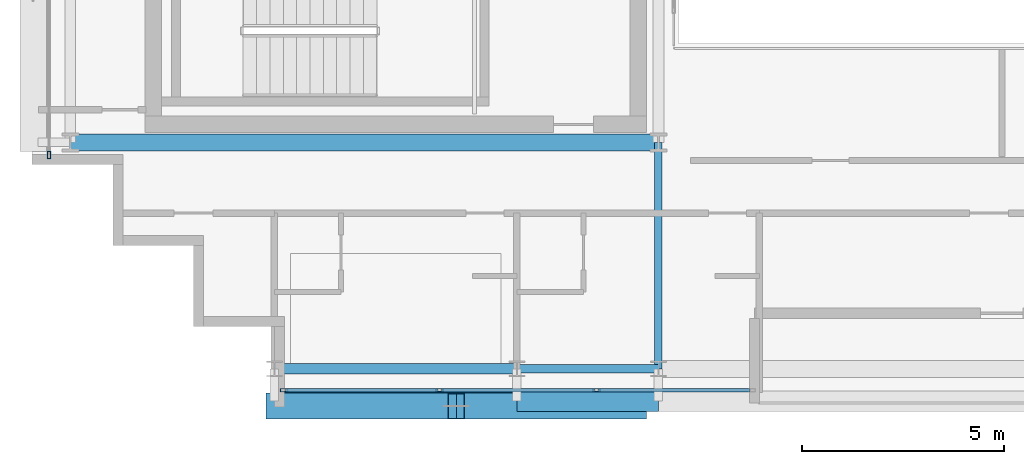
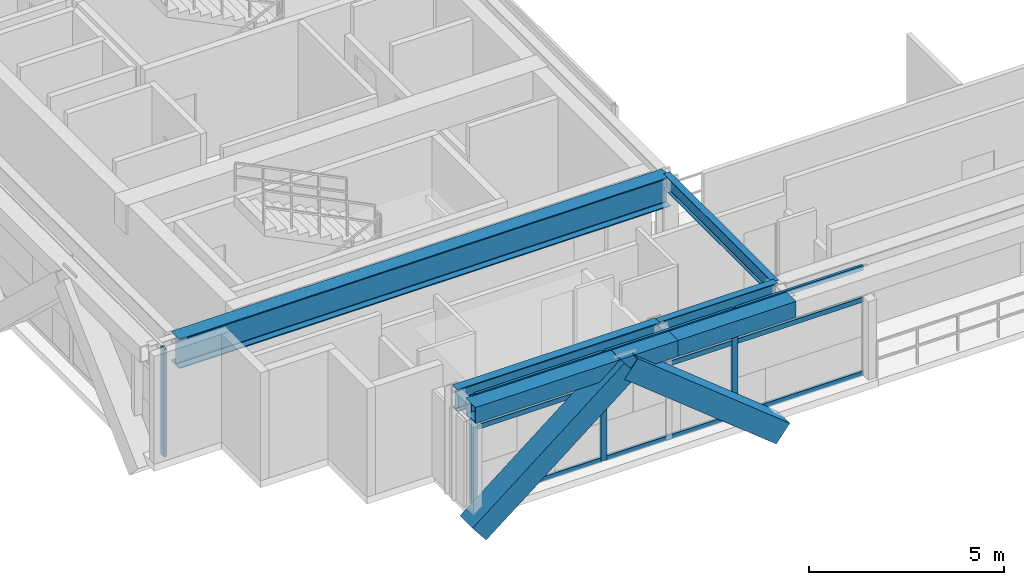
# One storey, part 2 of 29: 15 members, 6 beams, 2 elements without a shape of their own.
"""IFC4 building model written with IfcOpenShell, lengths in metres."""

from ifc_helpers import new_model, si_unit, direction, frame, origin, origin_2d, place, context, subcontext, project, spatial, hollow_rectangle, i_section, extrude, source, transform, mapped, material, layer, layer_set, material_profile, profile_set, type_object, element, aggregate, save


model = new_model("IFC4")

# Units and contexts
model_context = context("Model", 3, precision=1e-05, world=origin(), true_north=direction((0.0, 1.0)))
body_context = subcontext(model_context, "Body", "Model", "MODEL_VIEW")
ifc_project = project(units=[si_unit("LENGTHUNIT", "METRE"), si_unit("AREAUNIT", "SQUARE_METRE"), si_unit("VOLUMEUNIT", "CUBIC_METRE"), si_unit("PLANEANGLEUNIT", "RADIAN"), si_unit("MASSUNIT", "GRAM", prefix="KILO")], contexts=[model_context])

# Site, building, storey
site_placement = place(None, origin())
site = spatial("IfcSite", under=ifc_project, at=site_placement, CompositionType="ELEMENT")
building_placement = place(site_placement, origin())
building = spatial("IfcBuilding", under=site, at=building_placement, Name="Ocotamira Hotel", CompositionType="ELEMENT")
storey_placement = place(building_placement, frame((0.0, 0.0, 236.39990234375)))
storey = spatial("IfcBuildingStorey", under=building, at=storey_placement, Name="L59", CompositionType="ELEMENT", Elevation=236.39990234375)

# Beams
ifc_material_1 = material(Name="Steel ASTM A992 Grade 50", Category="steel")
ifc_material_profile_1 = material_profile(ifc_material_1, i_section(OverallWidth=0.41796875, OverallDepth=0.927001953125, WebThickness=0.019287109375, FlangeThickness=0.031982421875, FilletRadius=0.02392578125, at=origin_2d()), Name="W36X231")
ifc_profile_set_1 = profile_set([ifc_material_profile_1], Name="Steel ASTM A992 Grade 50")
beam_type_1 = type_object("IfcBeamType", Name="BM-GIRD-W36X231", PredefinedType="BEAM", material=ifc_profile_set_1)
shared_shape_1 = source(origin(), body_context, "Body", "SweptSolid", [
    extrude(i_section(OverallWidth=0.41796875, OverallDepth=0.927001953125, WebThickness=0.019287109375, FlangeThickness=0.031982421875, FilletRadius=0.02392578125, at=origin_2d()), origin(), (0.0, 0.0, 1.0), 14.550048828125),
])
beam_1_placement = place(storey_placement, frame((8.949951171875, 14.550048828125, 2.91650390625), z_axis=(1.0, 0.0, 0.0), x_axis=(0.0, 1.0, 0.0)))
element("IfcBeam", 1, at=beam_1_placement, inside=storey, type_object=beam_type_1, Name="L59 Girder Y14.55 X8.95-23.5", PredefinedType="BEAM", context=body_context, shape_type="MappedRepresentation", body=[
    mapped(shared_shape_1, transform((0.0, 0.0, 0.0), scale=1.0)),
])
ifc_material_profile_2 = material_profile(ifc_material_1, i_section(OverallWidth=0.256103515625, OverallDepth=0.693115234375, WebThickness=0.014404296875, FlangeThickness=0.023681640625, FilletRadius=0.01611328125, at=origin_2d()), Name="W27X114")
ifc_profile_set_2 = profile_set([ifc_material_profile_2], Name="Steel ASTM A992 Grade 50")
beam_type_2 = type_object("IfcBeamType", Name="BM-PRIM-W27X114", PredefinedType="BEAM", material=ifc_profile_set_2)
shared_shape_2 = source(origin(), body_context, "Body", "SweptSolid", [
    extrude(i_section(OverallWidth=0.256103515625, OverallDepth=0.693115234375, WebThickness=0.014404296875, FlangeThickness=0.023681640625, FilletRadius=0.01611328125, at=origin_2d()), origin(), (0.0, 0.0, 1.0), 6.0),
])
beam_2_placement = place(storey_placement, frame((14.0, 8.949951171875, 3.03369140625), z_axis=(1.0, 0.0, 0.0), x_axis=(0.0, 1.0, 0.0)))
element("IfcBeam", 2, at=beam_2_placement, inside=storey, type_object=beam_type_2, Name="L59 Girder Y8.95 X14-20", PredefinedType="BEAM", context=body_context, shape_type="MappedRepresentation", body=[
    mapped(shared_shape_2, transform((0.0, 0.0, 0.0), scale=1.0)),
])
ifc_material_profile_3 = material_profile(ifc_material_1, i_section(OverallWidth=0.2099609375, OverallDepth=0.537109375, WebThickness=0.010986328125, FlangeThickness=0.017333984375, FilletRadius=0.012939453125, at=origin_2d()), Name="W21X68")
ifc_profile_set_3 = profile_set([ifc_material_profile_3], Name="Steel ASTM A992 Grade 50")
beam_type_3 = type_object("IfcBeamType", Name="BM-SEC-W21X68", PredefinedType="JOIST", material=ifc_profile_set_3)
shared_shape_3 = source(origin(), body_context, "Body", "SweptSolid", [
    extrude(i_section(OverallWidth=0.2099609375, OverallDepth=0.537109375, WebThickness=0.010986328125, FlangeThickness=0.017333984375, FilletRadius=0.012939453125, at=origin_2d()), origin(), (0.0, 0.0, 1.0), 3.5),
])
beam_3_placement = place(storey_placement, frame((20.0, 8.949951171875, 3.111572265625), z_axis=(1.0, 0.0, 0.0), x_axis=(0.0, 1.0, 0.0)))
element("IfcBeam", 3, at=beam_3_placement, inside=storey, type_object=beam_type_3, Name="L59 Girder Y8.95 X20-23.5", PredefinedType="JOIST", context=body_context, shape_type="MappedRepresentation", body=[
    mapped(shared_shape_3, transform((0.0, 0.0, 0.0), scale=1.0)),
])
ifc_material_2 = material(Name="Steel ASTM A500 Grade C", Category="steel")
ifc_material_profile_4 = material_profile(ifc_material_2, hollow_rectangle(XDim=0.5, YDim=0.5, WallThickness=0.02001953125, at=origin_2d()), Name="HSS500X500X20")
ifc_profile_set_4 = profile_set([ifc_material_profile_4], Name="Steel ASTM A500 Grade C")
beam_type_4 = type_object("IfcBeamType", Name="BM-SPAN-HSS500", PredefinedType="USERDEFINED", material=ifc_profile_set_4)
shared_shape_4 = source(origin(), body_context, "Body", "SweptSolid", [
    extrude(hollow_rectangle(XDim=0.5, YDim=0.5, WallThickness=0.02001953125, at=origin_2d()), origin(), (0.0, 0.0, 1.0), 6.0),
])
beam_4_placement = place(storey_placement, frame((14.0, 8.14990234375, 3.130126953125), z_axis=(1.0, 0.0, 0.0), x_axis=(0.0, 1.0, 0.0)))
element("IfcBeam", 4, at=beam_4_placement, inside=storey, type_object=beam_type_4, Name="L59 Edge Spandrel S X14-20", ObjectType="SPANDREL", PredefinedType="USERDEFINED", context=body_context, shape_type="MappedRepresentation", body=[
    mapped(shared_shape_4, transform((0.0, 0.0, 0.0), scale=1.0)),
])
shared_shape_5 = source(origin(), body_context, "Body", "SweptSolid", [
    extrude(hollow_rectangle(XDim=0.5, YDim=0.5, WallThickness=0.02001953125, at=origin_2d()), origin(), (0.0, 0.0, 1.0), 3.5),
])
beam_5_placement = place(storey_placement, frame((20.0, 8.14990234375, 3.130126953125), z_axis=(1.0, 0.0, 0.0), x_axis=(0.0, 1.0, 0.0)))
element("IfcBeam", 5, at=beam_5_placement, inside=storey, type_object=beam_type_4, Name="L59 Edge Spandrel S X20-23.5", ObjectType="SPANDREL", PredefinedType="USERDEFINED", context=body_context, shape_type="MappedRepresentation", body=[
    mapped(shared_shape_5, transform((0.0, 0.0, 0.0), scale=1.0)),
])
ifc_material_profile_5 = material_profile(ifc_material_1, i_section(OverallWidth=0.18994140625, OverallDepth=0.45703125, WebThickness=0.009033203125, FlangeThickness=0.014404296875, FilletRadius=0.010009765625, at=origin_2d()), Name="W18X50")
ifc_profile_set_5 = profile_set([ifc_material_profile_5], Name="Steel ASTM A992 Grade 50")
beam_type_5 = type_object("IfcBeamType", Name="BM-SEC-W18X50", PredefinedType="JOIST", material=ifc_profile_set_5)
shared_shape_6 = source(origin(), body_context, "Body", "SweptSolid", [
    extrude(i_section(OverallWidth=0.18994140625, OverallDepth=0.45703125, WebThickness=0.009033203125, FlangeThickness=0.014404296875, FilletRadius=0.010009765625, at=origin_2d()), origin(), (0.0, 0.0, 1.0), 5.60009765625),
])
beam_6_placement = place(storey_placement, frame((23.5, 8.949951171875, 3.151611328125), z_axis=(0.0, 1.0, 0.0), x_axis=(-1.0, 0.0, 0.0)))
element("IfcBeam", 6, at=beam_6_placement, inside=storey, type_object=beam_type_5, Name="L59 Beam X23.5 Y8.95-14.55", PredefinedType="JOIST", context=body_context, shape_type="MappedRepresentation", body=[
    mapped(shared_shape_6, transform((0.0, 0.0, 0.0), scale=1.0)),
])

# Members
ifc_material_3 = material(Name="Pale-metal coated steel ASTM A913 Grade 65", Category="steel")
ifc_material_profile_6 = material_profile(ifc_material_3, hollow_rectangle(XDim=0.64990234375, YDim=0.64990234375, WallThickness=0.02197265625, at=origin_2d()), Name="BOX650X650X22")
ifc_profile_set_6 = profile_set([ifc_material_profile_6], Name="Pale-metal coated steel ASTM A913 Grade 65")
member_type_1 = type_object("IfcMemberType", Name="MEM-EXO-BOX650", PredefinedType="BRACE", material=ifc_profile_set_6)
shared_shape_7 = source(origin(), body_context, "Body", "SweptSolid", [
    extrude(hollow_rectangle(XDim=0.64990234375, YDim=0.64990234375, WallThickness=0.02197265625, at=origin_2d()), origin(), (0.0, 0.0, 1.0), 5.762939453125),
])
for number, where, z_axis, x_axis, name in (
    (7, (14.0, 8.030029296875, -0.469970703125), (0.780860543151, 0.0, 0.624705380279), (0.0, 1.0, 0.0), "L59 Exoskeleton Diagrid S0.1"),
    (8, (23.0, 8.030029296875, -0.469970703125), (-0.780860543151, 0.0, 0.624705380279), (0.0, -1.0, 0.0), "L59 Exoskeleton Diagrid S0.2"),
):
    element("IfcMember", number, at=place(storey_placement, frame(where, z_axis=z_axis, x_axis=x_axis)), inside=storey, type_object=member_type_1, Name=name, PredefinedType="BRACE", context=body_context, shape_type="MappedRepresentation", body=[
        mapped(shared_shape_7, transform((0.0, 0.0, 0.0), scale=1.0)),
    ])

# Curtain wall, members
ifc_material_4 = material(Name="Anodised pale-metal aluminium and solar glass", Category="aluminium")
ifc_layer = layer(ifc_material_4, 0.239990234375)
ifc_layer_set = layer_set([ifc_layer], Name="Anodised pale-metal aluminium and solar glass")
curtain_wall_type = type_object("IfcCurtainWallType", Name="CW-SYS5-SKY", PredefinedType="NOTDEFINED", material=ifc_layer_set)
curtain_wall_1_placement = place(storey_placement, origin())
curtain_wall_1 = element("IfcCurtainWall", 9, at=curtain_wall_1_placement, inside=storey, type_object=curtain_wall_type, Name="L59 Curtain Wall CW-5 CW-L59-S1", PredefinedType="NOTDEFINED")
ifc_material_5 = material(Name="Anodised pale-metal aluminium 6063-T6", Category="aluminium")
ifc_material_profile_7 = material_profile(ifc_material_5, hollow_rectangle(XDim=0.074951171875, YDim=0.14990234375, WallThickness=0.006103515625, at=origin_2d()), Name="HSS150X75X6")
ifc_profile_set_7 = profile_set([ifc_material_profile_7], Name="Anodised pale-metal aluminium 6063-T6")
member_type_2 = type_object("IfcMemberType", Name="CWT-150X75", PredefinedType="USERDEFINED", material=ifc_profile_set_7)
shared_shape_8 = source(origin(), body_context, "Body", "SweptSolid", [
    extrude(hollow_rectangle(XDim=0.074951171875, YDim=0.14990234375, WallThickness=0.006103515625, at=origin_2d()), origin(), (0.0, 0.0, 1.0), 3.76318359375),
])
member_1_placement = place(storey_placement, frame((14.280029296875, 8.419921875, 0.03759765625), z_axis=(1.0, 0.0, 0.0), x_axis=(0.0, 1.0, 0.0)))
member_1 = element("IfcMember", 10, at=member_1_placement, type_object=member_type_2, Name="CW-5 transom 1.1", ObjectType="TRANSOM", PredefinedType="USERDEFINED", context=body_context, shape_type="MappedRepresentation", body=[
    mapped(shared_shape_8, transform((0.0, 0.0, 0.0), scale=1.0)),
])
member_2_placement = place(storey_placement, frame((14.280029296875, 8.419921875, 2.35009765625), z_axis=(1.0, 0.0, 0.0), x_axis=(0.0, 1.0, 0.0)))
member_2 = element("IfcMember", 11, at=member_2_placement, type_object=member_type_2, Name="CW-5 transom 1.2", ObjectType="TRANSOM", PredefinedType="USERDEFINED", context=body_context, shape_type="MappedRepresentation", body=[
    mapped(shared_shape_8, transform((0.0, 0.0, 0.0), scale=1.0)),
])
member_3_placement = place(storey_placement, frame((14.280029296875, 8.419921875, 3.342529296875), z_axis=(1.0, 0.0, 0.0), x_axis=(0.0, 1.0, 0.0)))
member_3 = element("IfcMember", 12, at=member_3_placement, type_object=member_type_2, Name="CW-5 transom 1.3", ObjectType="TRANSOM", PredefinedType="USERDEFINED", context=body_context, shape_type="MappedRepresentation", body=[
    mapped(shared_shape_8, transform((0.0, 0.0, 0.0), scale=1.0)),
])
shared_shape_9 = source(origin(), body_context, "Body", "SweptSolid", [
    extrude(hollow_rectangle(XDim=0.074951171875, YDim=0.14990234375, WallThickness=0.006103515625, at=origin_2d()), origin(), (0.0, 0.0, 1.0), 3.803466796875),
])
member_4_placement = place(storey_placement, frame((18.123291015625, 8.419921875, 0.03759765625), z_axis=(1.0, 0.0, 0.0), x_axis=(0.0, 1.0, 0.0)))
member_4 = element("IfcMember", 13, at=member_4_placement, type_object=member_type_2, Name="CW-5 transom 2.1", ObjectType="TRANSOM", PredefinedType="USERDEFINED", context=body_context, shape_type="MappedRepresentation", body=[
    mapped(shared_shape_9, transform((0.0, 0.0, 0.0), scale=1.0)),
])
member_5_placement = place(storey_placement, frame((18.123291015625, 8.419921875, 2.35009765625), z_axis=(1.0, 0.0, 0.0), x_axis=(0.0, 1.0, 0.0)))
member_5 = element("IfcMember", 14, at=member_5_placement, type_object=member_type_2, Name="CW-5 transom 2.2", ObjectType="TRANSOM", PredefinedType="USERDEFINED", context=body_context, shape_type="MappedRepresentation", body=[
    mapped(shared_shape_9, transform((0.0, 0.0, 0.0), scale=1.0)),
])
member_6_placement = place(storey_placement, frame((18.123291015625, 8.419921875, 3.342529296875), z_axis=(1.0, 0.0, 0.0), x_axis=(0.0, 1.0, 0.0)))
member_6 = element("IfcMember", 15, at=member_6_placement, type_object=member_type_2, Name="CW-5 transom 2.3", ObjectType="TRANSOM", PredefinedType="USERDEFINED", context=body_context, shape_type="MappedRepresentation", body=[
    mapped(shared_shape_9, transform((0.0, 0.0, 0.0), scale=1.0)),
])
shared_shape_10 = source(origin(), body_context, "Body", "SweptSolid", [
    extrude(hollow_rectangle(XDim=0.074951171875, YDim=0.14990234375, WallThickness=0.006103515625, at=origin_2d()), origin(), (0.0, 0.0, 1.0), 3.763427734375),
])
member_7_placement = place(storey_placement, frame((22.006591796875, 8.419921875, 0.03759765625), z_axis=(1.0, 0.0, 0.0), x_axis=(0.0, 1.0, 0.0)))
member_7 = element("IfcMember", 16, at=member_7_placement, type_object=member_type_2, Name="CW-5 transom 3.1", ObjectType="TRANSOM", PredefinedType="USERDEFINED", context=body_context, shape_type="MappedRepresentation", body=[
    mapped(shared_shape_10, transform((0.0, 0.0, 0.0), scale=1.0)),
])
member_8_placement = place(storey_placement, frame((22.006591796875, 8.419921875, 2.35009765625), z_axis=(1.0, 0.0, 0.0), x_axis=(0.0, 1.0, 0.0)))
member_8 = element("IfcMember", 17, at=member_8_placement, type_object=member_type_2, Name="CW-5 transom 3.2", ObjectType="TRANSOM", PredefinedType="USERDEFINED", context=body_context, shape_type="MappedRepresentation", body=[
    mapped(shared_shape_10, transform((0.0, 0.0, 0.0), scale=1.0)),
])
member_9_placement = place(storey_placement, frame((22.006591796875, 8.419921875, 3.342529296875), z_axis=(1.0, 0.0, 0.0), x_axis=(0.0, 1.0, 0.0)))
member_9 = element("IfcMember", 18, at=member_9_placement, type_object=member_type_2, Name="CW-5 transom 3.3", ObjectType="TRANSOM", PredefinedType="USERDEFINED", context=body_context, shape_type="MappedRepresentation", body=[
    mapped(shared_shape_10, transform((0.0, 0.0, 0.0), scale=1.0)),
])
ifc_material_profile_8 = material_profile(ifc_material_5, hollow_rectangle(XDim=0.080078125, YDim=0.179931640625, WallThickness=0.006103515625, at=origin_2d()), Name="HSS180X80X6")
ifc_profile_set_8 = profile_set([ifc_material_profile_8], Name="Anodised pale-metal aluminium 6063-T6")
member_type_3 = type_object("IfcMemberType", Name="CWM-180X75", PredefinedType="MULLION", material=ifc_profile_set_8)
shared_shape_11 = source(origin(), body_context, "Body", "SweptSolid", [
    extrude(hollow_rectangle(XDim=0.080078125, YDim=0.179931640625, WallThickness=0.006103515625, at=origin_2d()), origin(), (0.0, 0.0, 1.0), 3.380126953125),
])
member_10_placement = place(storey_placement, frame((14.239990234375, 8.419921875, 0.0), z_axis=(0.0, 0.0, 1.0), x_axis=(0.0, 1.0, 0.0)))
member_10 = element("IfcMember", 19, at=member_10_placement, type_object=member_type_3, Name="CW-5 mullion 1", PredefinedType="MULLION", context=body_context, shape_type="MappedRepresentation", body=[
    mapped(shared_shape_11, transform((0.0, 0.0, 0.0), scale=1.0)),
])
member_11_placement = place(storey_placement, frame((18.083251953125, 8.419921875, 0.0), z_axis=(0.0, 0.0, 1.0), x_axis=(0.0, 1.0, 0.0)))
member_11 = element("IfcMember", 20, at=member_11_placement, type_object=member_type_3, Name="CW-5 mullion 2", PredefinedType="MULLION", context=body_context, shape_type="MappedRepresentation", body=[
    mapped(shared_shape_11, transform((0.0, 0.0, 0.0), scale=1.0)),
])
member_12_placement = place(storey_placement, frame((21.966552734375, 8.419921875, 0.0), z_axis=(0.0, 0.0, 1.0), x_axis=(0.0, 1.0, 0.0)))
member_12 = element("IfcMember", 21, at=member_12_placement, type_object=member_type_3, Name="CW-5 mullion 3", PredefinedType="MULLION", context=body_context, shape_type="MappedRepresentation", body=[
    mapped(shared_shape_11, transform((0.0, 0.0, 0.0), scale=1.0)),
])
aggregate(curtain_wall_1, [member_10, member_11, member_12, member_1, member_2, member_3, member_4, member_5, member_6, member_7, member_8, member_9])

# Curtain wall, member
curtain_wall_2_placement = place(storey_placement, origin())
curtain_wall_2 = element("IfcCurtainWall", 22, at=curtain_wall_2_placement, inside=storey, type_object=curtain_wall_type, Name="L59 Curtain Wall CW-5 CW-L59-W", PredefinedType="NOTDEFINED")
member_13_placement = place(storey_placement, frame((8.419921875, 14.239990234375, 0.0), z_axis=(0.0, 0.0, 1.0), x_axis=(-1.0, 0.0, 0.0)))
member_13 = element("IfcMember", 23, at=member_13_placement, type_object=member_type_3, Name="CW-5 mullion 1", PredefinedType="MULLION", context=body_context, shape_type="MappedRepresentation", body=[
    mapped(shared_shape_11, transform((0.0, 0.0, 0.0), scale=1.0)),
])
aggregate(curtain_wall_2, [member_13])

save(model, "model.ifc")
